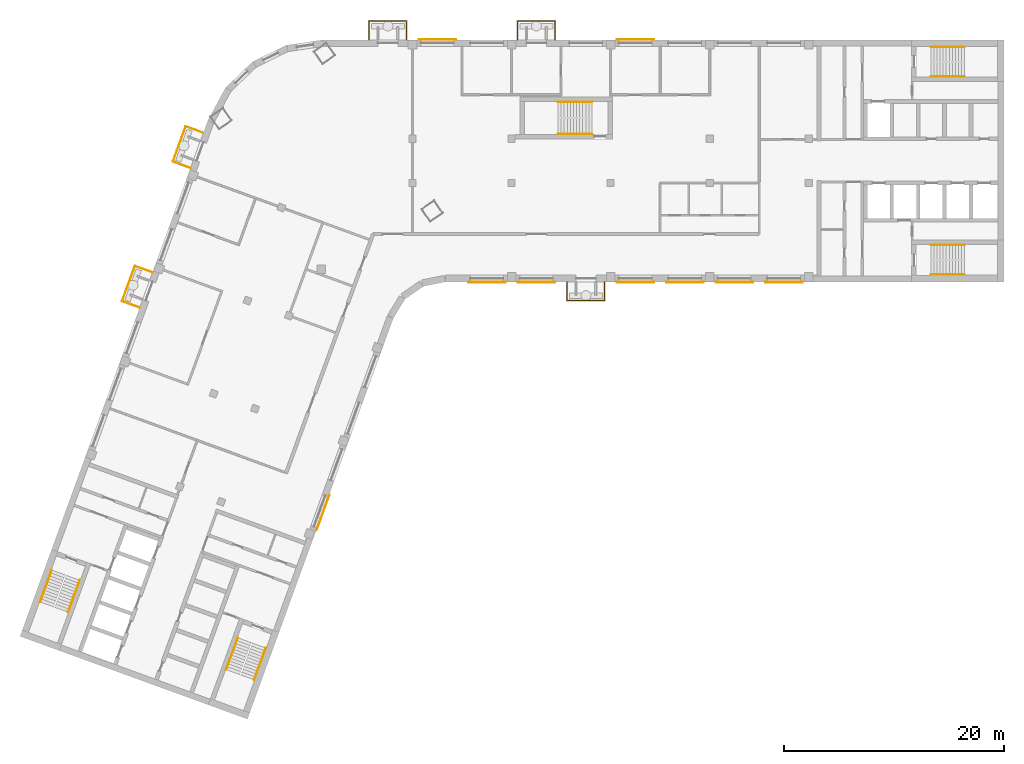
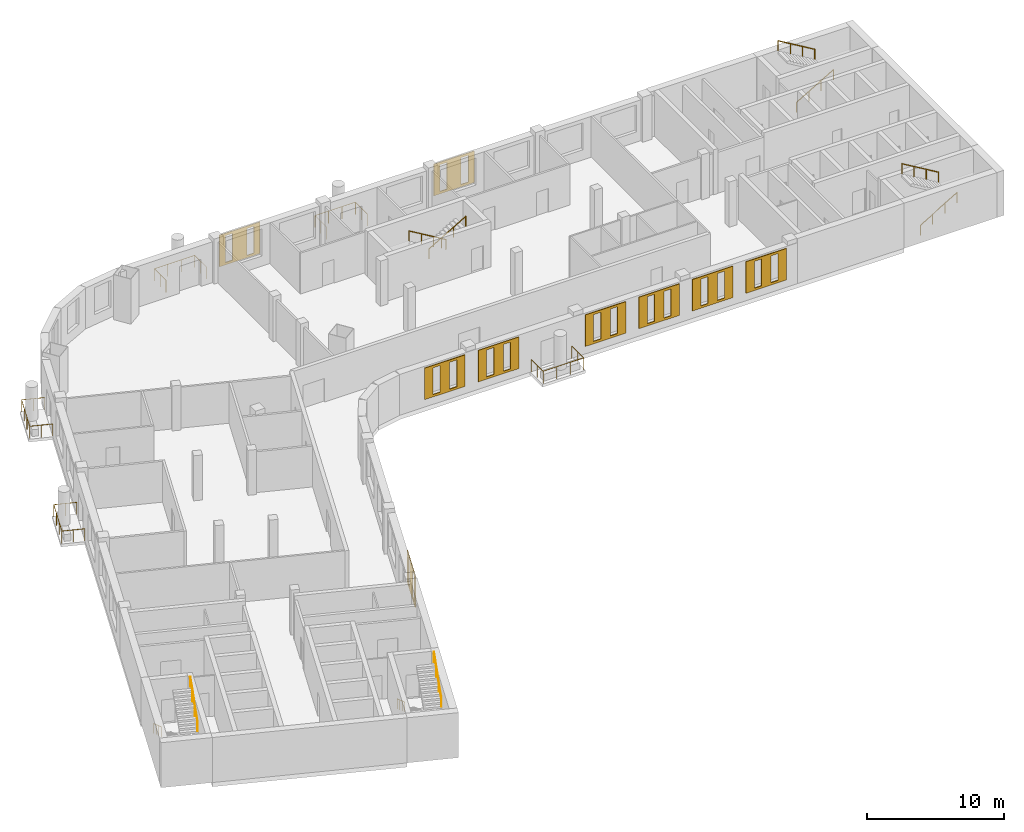
# One storey, part 8 of 10: 15 railings, 9 coverings.
"""IFC4 building model written with IfcOpenShell, lengths in metres."""

import ifcopenshell
import ifcopenshell.guid

model = None  # the IFC model being written
_history = None  # IfcOwnerHistory: only IFC2X3 demands one
_inside = {}  # id of a spatial element -> (the spatial element, [elements in it])
_under = {}  # id of a project, library or spatial element -> (it, [spatial elements below it])
_declared = {}  # id of a project -> (the project, [libraries it declares])
_typed = {}  # id of a type object -> (the type object, [elements of that type])
_made_of = {}  # id of a material, layer set ... -> (it, [elements and type objects made of it])


def new_model(schema):
    """Start an empty IFC model of exactly this schema.

    Asked for "IFC4X3", IfcOpenShell would pick the latest addendum, in which some entities
    have other attributes; the version numbers below select the first issue.
    IFC2X3 requires an IfcOwnerHistory on every rooted entity: one is made here for all.
    """
    global model, _history
    if schema == "IFC4X3":
        model = ifcopenshell.file(schema_version=(4, 3, 0, 0))
    else:
        model = ifcopenshell.file(schema=schema)
    _inside.clear()
    _under.clear()
    _declared.clear()
    _typed.clear()
    _made_of.clear()
    _history = None
    if model.schema == "IFC2X3":
        org = make("IfcOrganization", Name="unknown")
        user = make(
            "IfcPersonAndOrganization",
            ThePerson=make("IfcPerson", FamilyName="unknown"),
            TheOrganization=org,
        )
        app = make(
            "IfcApplication",
            ApplicationDeveloper=org,
            Version="unknown",
            ApplicationFullName="unknown",
            ApplicationIdentifier="unknown",
        )
        _history = make(
            "IfcOwnerHistory",
            OwningUser=user,
            OwningApplication=app,
            ChangeAction="ADDED",
            CreationDate=0,
        )
    return model


def make(cls, **values):
    """One entity of the class cls with the attributes given. An attribute that is None is left unset."""
    return model.create_entity(
        cls, **{name: value for name, value in values.items() if value is not None}
    )


def rooted(cls, **values):
    """An entity with a GlobalId (a new one), such as an element, a storey or a relation."""
    return make(cls, GlobalId=ifcopenshell.guid.new(), OwnerHistory=_history, **values)


def si_unit(unit_type, name, prefix=None):
    """IfcSIUnit, for example si_unit("LENGTHUNIT", "METRE", prefix="MILLI")."""
    return make("IfcSIUnit", UnitType=unit_type, Prefix=prefix, Name=name)


def assignment(units):
    """IfcUnitAssignment: the units of a project."""
    return None if units is None else make("IfcUnitAssignment", Units=units)


def point(xyz):
    """IfcCartesianPoint."""
    return None if xyz is None else make("IfcCartesianPoint", Coordinates=xyz)


def direction(xyz):
    """IfcDirection."""
    return None if xyz is None else make("IfcDirection", DirectionRatios=xyz)


def frame(location, z_axis=None, x_axis=None):
    """IfcAxis2Placement3D, a coordinate frame: its origin and axes. An axis left out is left unset."""
    return make(
        "IfcAxis2Placement3D",
        Location=point(location),
        Axis=direction(z_axis),
        RefDirection=direction(x_axis),
    )


def frame_2d(location, x_axis=None):
    """IfcAxis2Placement2D, a coordinate frame in the plane: its origin and x axis."""
    return make(
        "IfcAxis2Placement2D", Location=point(location), RefDirection=direction(x_axis)
    )


def origin():
    """The frame at (0, 0, 0) with its axes left unset."""
    return frame((0.0, 0.0, 0.0))


def origin_2d():
    """The frame at (0, 0) in the plane with its x axis left unset."""
    return frame_2d((0.0, 0.0))


def place(relative_to, where):
    """IfcLocalPlacement: puts the frame where relative to a parent placement (None: the world)."""
    return make(
        "IfcLocalPlacement", PlacementRelTo=relative_to, RelativePlacement=where
    )


def context(
    kind, dimensions, precision=None, world=None, true_north=None, identifier=None
):
    """IfcGeometricRepresentationContext, for example the 3D "Model" context."""
    return make(
        "IfcGeometricRepresentationContext",
        ContextIdentifier=identifier,
        ContextType=kind,
        CoordinateSpaceDimension=dimensions,
        Precision=precision,
        WorldCoordinateSystem=world,
        TrueNorth=true_north,
    )


def subcontext(parent, identifier, kind, view, scale=None):
    """IfcGeometricRepresentationSubContext, for example "Body" below "Model"."""
    return make(
        "IfcGeometricRepresentationSubContext",
        ContextIdentifier=identifier,
        ContextType=kind,
        ParentContext=parent,
        TargetScale=scale,
        TargetView=view,
    )


def project(units=None, contexts=None):
    """IfcProject with its units and contexts."""
    return rooted(
        "IfcProject",
        Name="project",
        RepresentationContexts=contexts,
        UnitsInContext=assignment(units),
    )


def spatial(cls, under=None, at=None, **own):
    """A site, building, storey or space (cls), placed at a placement, below another one or the project."""
    s = rooted(cls, ObjectPlacement=at, **own)
    if under is not None:
        _under.setdefault(under.id(), (under, []))[1].append(s)
    return s


def polyline(points):
    """IfcPolyline through the points."""
    return make("IfcPolyline", Points=[point(p) for p in points])


def profile(cls, at=None, kind="AREA", **sizes):
    """A parametric profile (cls). Its sizes go by their IFC names, for example OverallWidth=200.0."""
    return make(cls, ProfileType=kind, Position=at, **sizes)


def circle(**sizes):
    """IfcCircleProfileDef."""
    return profile("IfcCircleProfileDef", **sizes)


def outline(outer, holes=None, kind="AREA"):
    """IfcArbitraryClosedProfileDef: a profile drawn as a closed curve; with holes, ...WithVoids."""
    if holes is None:
        return make("IfcArbitraryClosedProfileDef", ProfileType=kind, OuterCurve=outer)
    return make(
        "IfcArbitraryProfileDefWithVoids",
        ProfileType=kind,
        OuterCurve=outer,
        InnerCurves=holes,
    )


def extrude(swept, where, along, depth):
    """IfcExtrudedAreaSolid: the profile swept, set in the frame where, extruded along a direction by depth."""
    return make(
        "IfcExtrudedAreaSolid",
        SweptArea=swept,
        Position=where,
        ExtrudedDirection=direction(along),
        Depth=depth,
    )


def shape(context_of_items, identifier, shape_type, items):
    """IfcShapeRepresentation: the items that make up one representation, for example the "Body"."""
    return make(
        "IfcShapeRepresentation",
        ContextOfItems=context_of_items,
        RepresentationIdentifier=identifier,
        RepresentationType=shape_type,
        Items=items,
    )


def material(Name=None, Category=None):
    """IfcMaterial."""
    return make("IfcMaterial", Name=Name, Category=Category)


def material_profile(
    of_material, cross_section, Name=None, Category=None, Priority=None
):
    """IfcMaterialProfile: a cross section and its material."""
    return make(
        "IfcMaterialProfile",
        Name=Name,
        Material=of_material,
        Profile=cross_section,
        Priority=Priority,
        Category=Category,
    )


def profile_set(profiles, Name=None, composite=None):
    """IfcMaterialProfileSet."""
    return make(
        "IfcMaterialProfileSet",
        Name=Name,
        MaterialProfiles=profiles,
        CompositeProfile=composite,
    )


def made_of(thing, what):
    """Note that an element or type object is made of a material, layer set ...; save() writes the relation."""
    if what is not None:
        _made_of.setdefault(what.id(), (what, []))[1].append(thing)
    return thing


def type_object(cls, material=None, **own):
    """A type object (cls), such as IfcWallType, which elements share."""
    return made_of(rooted(cls, **own), material)


def element(
    cls,
    number,
    at=None,
    inside=None,
    cuts=None,
    type_object=None,
    material=None,
    context=None,
    identifier="Body",
    shape_type=None,
    held_by="IfcProductDefinitionShape",
    body=None,
    shapes=None,
    **own,
):
    """One element of the class cls, such as IfcWall. Its Tag is "e" and its number.

    at: its placement. inside: the storey or other place that contains it. cuts: it is an
    opening in that element (IfcRelVoidsElement). A single representation is given by context,
    identifier, shape_type and body (its items); several are given by shapes. held_by: the class
    of the entity that holds the representations. save() writes the other relations.
    """
    e = rooted(cls, Tag="e%d" % number, ObjectPlacement=at, **own)
    if body is not None:
        shapes = [shape(context, identifier, shape_type, body)]
    if shapes is not None:
        e.Representation = make(held_by, Representations=shapes)
    if inside is not None:
        _inside.setdefault(inside.id(), (inside, []))[1].append(e)
    if cuts is not None:
        rooted(
            "IfcRelVoidsElement", RelatingBuildingElement=cuts, RelatedOpeningElement=e
        )
    if type_object is not None:
        _typed.setdefault(type_object.id(), (type_object, []))[1].append(e)
    return made_of(e, material)


def aggregate(whole, parts):
    """IfcRelAggregates: a whole, such as a stair, and the parts it consists of."""
    return rooted("IfcRelAggregates", RelatingObject=whole, RelatedObjects=parts)


def save(model, path):
    """Write the relations noted so far, then the file.

    IfcRelAggregates (storeys below a building ...), IfcRelContainedInSpatialStructure (elements
    in a storey), IfcRelDefinesByType, IfcRelAssociatesMaterial and IfcRelDeclares: one each for
    every whole, place, type object, material and project.
    """
    for whole, parts in _under.values():
        aggregate(whole, parts)
    for where, things in _inside.values():
        rooted(
            "IfcRelContainedInSpatialStructure",
            RelatedElements=things,
            RelatingStructure=where,
        )
    for kind, things in _typed.values():
        rooted("IfcRelDefinesByType", RelatedObjects=things, RelatingType=kind)
    for what, things in _made_of.values():
        rooted("IfcRelAssociatesMaterial", RelatedObjects=things, RelatingMaterial=what)
    for by, libraries in _declared.values():
        rooted("IfcRelDeclares", RelatingContext=by, RelatedDefinitions=libraries)
    model.write(path)


model = new_model("IFC4")

# Units and contexts
model_context = context("Model", 3, precision=1e-05, world=origin(), true_north=direction((0.0, 1.0)))
body_context = subcontext(model_context, "Body", "Model", "MODEL_VIEW")
ifc_project = project(units=[si_unit("LENGTHUNIT", "METRE"), si_unit("AREAUNIT", "SQUARE_METRE"), si_unit("VOLUMEUNIT", "CUBIC_METRE"), si_unit("PLANEANGLEUNIT", "RADIAN"), si_unit("MASSUNIT", "GRAM", prefix="KILO")], contexts=[model_context])

# Site, building, storey
site_placement = place(None, origin())
site = spatial("IfcSite", under=ifc_project, at=site_placement, CompositionType="ELEMENT")
building_placement = place(site_placement, origin())
building = spatial("IfcBuilding", under=site, at=building_placement, Name="Skarvind Civic Tower", CompositionType="ELEMENT")
storey_placement = place(building_placement, frame((0.0, 0.0, 166.5)))
storey = spatial("IfcBuildingStorey", under=building, at=storey_placement, Name="L39", CompositionType="ELEMENT", Elevation=166.5)

# Railings
ifc_material_1 = material(Name="Stainless steel balustrade", Category="steel")
railing_type_1 = type_object("IfcRailingType", Name="GR1 GUARD 1100", PredefinedType="GUARDRAIL", material=ifc_material_1)
railing_1_placement = place(storey_placement, frame((71.699951171875, 117.0, 0.0)))
element("IfcRailing", 1, at=railing_1_placement, inside=storey, type_object=railing_type_1, Name="TREE BALCONY GUARD", PredefinedType="GUARDRAIL", context=body_context, shape_type="SweptSolid", body=[
    extrude(circle(Radius=0.02392578125, at=origin_2d()), frame((0.0, 0.0, 1.076171875), z_axis=(0.0, -1.0, 0.0), x_axis=(1.0, 0.0, 0.0)), (0.0, 0.0, 1.0), 1.699951171875),
    extrude(circle(Radius=0.02392578125, at=origin_2d()), frame((0.0, -1.699951171875, 1.076171875), z_axis=(-1.0, 0.0, 0.0), x_axis=(0.0, -1.0, 0.0)), (0.0, 0.0, 1.0), 3.39990234375),
    extrude(circle(Radius=0.02392578125, at=origin_2d()), frame((-3.39990234375, -1.699951171875, 1.076171875), z_axis=(0.0, 1.0, 0.0), x_axis=(-1.0, 0.0, 0.0)), (0.0, 0.0, 1.0), 1.699951171875),
    extrude(circle(Radius=0.02099609375, at=origin_2d()), origin(), (0.0, 0.0, 1.0), 1.052001953125),
    extrude(circle(Radius=0.02099609375, at=origin_2d()), frame((0.0, -0.85009765625, 0.0)), (0.0, 0.0, 1.0), 1.052001953125),
    extrude(circle(Radius=0.02099609375, at=origin_2d()), frame((0.0, -1.699951171875, 0.0)), (0.0, 0.0, 1.0), 1.052001953125),
    extrude(circle(Radius=0.02099609375, at=origin_2d()), frame((-1.13330078125, -1.699951171875, 0.0)), (0.0, 0.0, 1.0), 1.052001953125),
    extrude(circle(Radius=0.02099609375, at=origin_2d()), frame((-2.2666015625, -1.699951171875, 0.0)), (0.0, 0.0, 1.0), 1.052001953125),
    extrude(circle(Radius=0.02099609375, at=origin_2d()), frame((-3.39990234375, -1.699951171875, 0.0)), (0.0, 0.0, 1.0), 1.052001953125),
    extrude(circle(Radius=0.02099609375, at=origin_2d()), frame((-3.39990234375, -0.85009765625, 0.0)), (0.0, 0.0, 1.0), 1.052001953125),
    extrude(circle(Radius=0.02099609375, at=origin_2d()), frame((-3.39990234375, 0.0, 0.0)), (0.0, 0.0, 1.0), 1.052001953125),
])
for number, where, name in (
    (2, (50.300048828125, 139.0, 0.0), "TREE BALCONY GUARD"),
    (3, (63.800048828125, 139.0, 0.0), "TREE BALCONY GUARD"),
):
    element("IfcRailing", number, at=place(storey_placement, frame(where)), inside=storey, type_object=railing_type_1, Name=name, PredefinedType="GUARDRAIL", context=body_context, shape_type="SweptSolid", body=[
        extrude(circle(Radius=0.02392578125, at=origin_2d()), frame((0.0, 0.0, 1.076171875), z_axis=(0.0, 1.0, 0.0), x_axis=(-1.0, 0.0, 0.0)), (0.0, 0.0, 1.0), 1.699951171875),
        extrude(circle(Radius=0.02392578125, at=origin_2d()), frame((0.0, 1.699951171875, 1.076171875), z_axis=(1.0, 0.0, 0.0), x_axis=(0.0, 1.0, 0.0)), (0.0, 0.0, 1.0), 3.39990234375),
        extrude(circle(Radius=0.02392578125, at=origin_2d()), frame((3.39990234375, 1.699951171875, 1.076171875), z_axis=(0.0, -1.0, 0.0), x_axis=(1.0, 0.0, 0.0)), (0.0, 0.0, 1.0), 1.699951171875),
        extrude(circle(Radius=0.02099609375, at=origin_2d()), origin(), (0.0, 0.0, 1.0), 1.052001953125),
        extrude(circle(Radius=0.02099609375, at=origin_2d()), frame((0.0, 0.85009765625, 0.0)), (0.0, 0.0, 1.0), 1.052001953125),
        extrude(circle(Radius=0.02099609375, at=origin_2d()), frame((0.0, 1.699951171875, 0.0)), (0.0, 0.0, 1.0), 1.052001953125),
        extrude(circle(Radius=0.02099609375, at=origin_2d()), frame((1.13330078125, 1.699951171875, 0.0)), (0.0, 0.0, 1.0), 1.052001953125),
        extrude(circle(Radius=0.02099609375, at=origin_2d()), frame((2.2666015625, 1.699951171875, 0.0)), (0.0, 0.0, 1.0), 1.052001953125),
        extrude(circle(Radius=0.02099609375, at=origin_2d()), frame((3.39990234375, 1.699951171875, 0.0)), (0.0, 0.0, 1.0), 1.052001953125),
        extrude(circle(Radius=0.02099609375, at=origin_2d()), frame((3.39990234375, 0.85009765625, 0.0)), (0.0, 0.0, 1.0), 1.052001953125),
        extrude(circle(Radius=0.02099609375, at=origin_2d()), frame((3.39990234375, 0.0, 0.0)), (0.0, 0.0, 1.0), 1.052001953125),
    ])
railing_2_placement = place(storey_placement, frame((29.438720703125, 114.659912109375, 0.0)))
element("IfcRailing", 4, at=railing_2_placement, inside=storey, type_object=railing_type_1, Name="TREE BALCONY GUARD", PredefinedType="GUARDRAIL", context=body_context, shape_type="SweptSolid", body=[
    extrude(circle(Radius=0.02392578125, at=origin_2d()), frame((0.0, 0.0, 1.076171875), z_axis=(-0.939713724856, 0.341962154804, 0.0), x_axis=(-0.341962154804, -0.939713724856, 0.0)), (0.0, 0.0, 1.0), 1.699951171875),
    extrude(circle(Radius=0.02392578125, at=origin_2d()), frame((-1.597412109375, 0.581298828125, 1.076171875), z_axis=(0.341939080165, 0.939722121404, 0.0), x_axis=(-0.939722121404, 0.341939080165, 0.0)), (0.0, 0.0, 1.0), 3.39990234375),
    extrude(circle(Radius=0.02392578125, at=origin_2d()), frame((-0.434814453125, 3.7763671875, 1.076171875), z_axis=(0.939684369409, -0.342042812948, 0.0), x_axis=(0.342042812948, 0.939684369409, 0.0)), (0.0, 0.0, 1.0), 1.7001953125),
    extrude(circle(Radius=0.02099609375, at=origin_2d()), origin(), (0.0, 0.0, 1.0), 1.052001953125),
    extrude(circle(Radius=0.02099609375, at=origin_2d()), frame((-0.798828125, 0.29052734375, 0.0)), (0.0, 0.0, 1.0), 1.052001953125),
    extrude(circle(Radius=0.02099609375, at=origin_2d()), frame((-1.597412109375, 0.581298828125, 0.0)), (0.0, 0.0, 1.0), 1.052001953125),
    extrude(circle(Radius=0.02099609375, at=origin_2d()), frame((-1.2099609375, 1.646240234375, 0.0)), (0.0, 0.0, 1.0), 1.052001953125),
    extrude(circle(Radius=0.02099609375, at=origin_2d()), frame((-0.822265625, 2.71142578125, 0.0)), (0.0, 0.0, 1.0), 1.052001953125),
    extrude(circle(Radius=0.02099609375, at=origin_2d()), frame((-0.434814453125, 3.7763671875, 0.0)), (0.0, 0.0, 1.0), 1.052001953125),
    extrude(circle(Radius=0.02099609375, at=origin_2d()), frame((0.364013671875, 3.485595703125, 0.0)), (0.0, 0.0, 1.0), 1.052001953125),
    extrude(circle(Radius=0.02099609375, at=origin_2d()), frame((1.162841796875, 3.19482421875, 0.0)), (0.0, 0.0, 1.0), 1.052001953125),
])
railing_3_placement = place(storey_placement, frame((34.055908203125, 127.345703125, 0.0)))
element("IfcRailing", 5, at=railing_3_placement, inside=storey, type_object=railing_type_1, Name="TREE BALCONY GUARD", PredefinedType="GUARDRAIL", context=body_context, shape_type="SweptSolid", body=[
    extrude(circle(Radius=0.02392578125, at=origin_2d()), frame((0.0, 0.0, 1.076171875), z_axis=(-0.939713724856, 0.341962154804, 0.0), x_axis=(-0.341962154804, -0.939713724856, 0.0)), (0.0, 0.0, 1.0), 1.699951171875),
    extrude(circle(Radius=0.02392578125, at=origin_2d()), frame((-1.597412109375, 0.581298828125, 1.076171875), z_axis=(0.342002487902, 0.939699046647, 0.0), x_axis=(-0.939699046647, 0.342002487902, 0.0)), (0.0, 0.0, 1.0), 3.400146484375),
    extrude(circle(Radius=0.02392578125, at=origin_2d()), frame((-0.4345703125, 3.7763671875, 1.076171875), z_axis=(0.939713724856, -0.341962154804, 0.0), x_axis=(0.341962154804, 0.939713724856, 0.0)), (0.0, 0.0, 1.0), 1.699951171875),
    extrude(circle(Radius=0.02099609375, at=origin_2d()), origin(), (0.0, 0.0, 1.0), 1.052001953125),
    extrude(circle(Radius=0.02099609375, at=origin_2d()), frame((-0.798828125, 0.29052734375, 0.0)), (0.0, 0.0, 1.0), 1.052001953125),
    extrude(circle(Radius=0.02099609375, at=origin_2d()), frame((-1.597412109375, 0.581298828125, 0.0)), (0.0, 0.0, 1.0), 1.052001953125),
    extrude(circle(Radius=0.02099609375, at=origin_2d()), frame((-1.209716796875, 1.646240234375, 0.0)), (0.0, 0.0, 1.0), 1.052001953125),
    extrude(circle(Radius=0.02099609375, at=origin_2d()), frame((-0.822265625, 2.71142578125, 0.0)), (0.0, 0.0, 1.0), 1.052001953125),
    extrude(circle(Radius=0.02099609375, at=origin_2d()), frame((-0.4345703125, 3.7763671875, 0.0)), (0.0, 0.0, 1.0), 1.052001953125),
    extrude(circle(Radius=0.02099609375, at=origin_2d()), frame((0.3642578125, 3.48583984375, 0.0)), (0.0, 0.0, 1.0), 1.052001953125),
    extrude(circle(Radius=0.02099609375, at=origin_2d()), frame((1.162841796875, 3.195068359375, 0.0)), (0.0, 0.0, 1.0), 1.052001953125),
])
ifc_material_2 = material(Name="Painted steel handrail", Category="steel")
railing_type_2 = type_object("IfcRailingType", Name="Stair handrail 900", PredefinedType="HANDRAIL", material=ifc_material_2)
railing_4_placement = place(storey_placement, frame((101.35009765625, 135.64990234375, 0.166748046875)))
element("IfcRailing", 6, at=railing_4_placement, inside=storey, type_object=railing_type_2, Name="Stair handrail", PredefinedType="HANDRAIL", context=body_context, shape_type="SweptSolid", body=[
    extrude(circle(Radius=0.02392578125, at=origin_2d()), frame((0.0, 0.0, 0.8759765625), z_axis=(0.859290745958, 0.0, 0.51148745235), x_axis=(0.0, 1.0, 0.0)), (0.0, 0.0, 1.0), 3.584228515625),
    extrude(circle(Radius=0.02099609375, at=origin_2d()), origin(), (0.0, 0.0, 1.0), 0.851806640625),
    extrude(circle(Radius=0.02099609375, at=origin_2d()), frame((1.026611328125, 0.0, 0.611083984375)), (0.0, 0.0, 1.0), 0.851806640625),
    extrude(circle(Radius=0.02099609375, at=origin_2d()), frame((2.05322265625, 0.0, 1.22216796875)), (0.0, 0.0, 1.0), 0.851806640625),
    extrude(circle(Radius=0.02099609375, at=origin_2d()), frame((3.079833984375, 0.0, 1.833251953125)), (0.0, 0.0, 1.0), 0.851806640625),
])
railing_5_placement = place(storey_placement, frame((104.429931640625, 138.35009765625, 2.166748046875)))
element("IfcRailing", 7, at=railing_5_placement, inside=storey, type_object=railing_type_2, Name="Stair handrail", PredefinedType="HANDRAIL", context=body_context, shape_type="SweptSolid", body=[
    extrude(circle(Radius=0.02392578125, at=origin_2d()), frame((0.0, 0.0, 0.8759765625), z_axis=(-0.859290745958, 0.0, 0.51148745235), x_axis=(0.0, -1.0, 0.0)), (0.0, 0.0, 1.0), 3.584228515625),
    extrude(circle(Radius=0.02099609375, at=origin_2d()), origin(), (0.0, 0.0, 1.0), 0.851806640625),
    extrude(circle(Radius=0.02099609375, at=origin_2d()), frame((-1.026611328125, 0.0, 0.611083984375)), (0.0, 0.0, 1.0), 0.851806640625),
    extrude(circle(Radius=0.02099609375, at=origin_2d()), frame((-2.05322265625, 0.0, 1.22216796875)), (0.0, 0.0, 1.0), 0.851806640625),
    extrude(circle(Radius=0.02099609375, at=origin_2d()), frame((-3.079833984375, 0.0, 1.833251953125)), (0.0, 0.0, 1.0), 0.851806640625),
])
railing_6_placement = place(storey_placement, frame((101.35009765625, 117.64990234375, 0.166748046875)))
element("IfcRailing", 8, at=railing_6_placement, inside=storey, type_object=railing_type_2, Name="Stair handrail", PredefinedType="HANDRAIL", context=body_context, shape_type="SweptSolid", body=[
    extrude(circle(Radius=0.02392578125, at=origin_2d()), frame((0.0, 0.0, 0.8759765625), z_axis=(0.859290745958, 0.0, 0.51148745235), x_axis=(0.0, 1.0, 0.0)), (0.0, 0.0, 1.0), 3.584228515625),
    extrude(circle(Radius=0.02099609375, at=origin_2d()), origin(), (0.0, 0.0, 1.0), 0.851806640625),
    extrude(circle(Radius=0.02099609375, at=origin_2d()), frame((1.026611328125, 0.0, 0.611083984375)), (0.0, 0.0, 1.0), 0.851806640625),
    extrude(circle(Radius=0.02099609375, at=origin_2d()), frame((2.05322265625, 0.0, 1.22216796875)), (0.0, 0.0, 1.0), 0.851806640625),
    extrude(circle(Radius=0.02099609375, at=origin_2d()), frame((3.079833984375, 0.0, 1.833251953125)), (0.0, 0.0, 1.0), 0.851806640625),
])
railing_7_placement = place(storey_placement, frame((104.429931640625, 120.35009765625, 2.166748046875)))
element("IfcRailing", 9, at=railing_7_placement, inside=storey, type_object=railing_type_2, Name="Stair handrail", PredefinedType="HANDRAIL", context=body_context, shape_type="SweptSolid", body=[
    extrude(circle(Radius=0.02392578125, at=origin_2d()), frame((0.0, 0.0, 0.8759765625), z_axis=(-0.859290745958, 0.0, 0.51148745235), x_axis=(0.0, -1.0, 0.0)), (0.0, 0.0, 1.0), 3.584228515625),
    extrude(circle(Radius=0.02099609375, at=origin_2d()), origin(), (0.0, 0.0, 1.0), 0.851806640625),
    extrude(circle(Radius=0.02099609375, at=origin_2d()), frame((-1.026611328125, 0.0, 0.611083984375)), (0.0, 0.0, 1.0), 0.851806640625),
    extrude(circle(Radius=0.02099609375, at=origin_2d()), frame((-2.05322265625, 0.0, 1.22216796875)), (0.0, 0.0, 1.0), 0.851806640625),
    extrude(circle(Radius=0.02099609375, at=origin_2d()), frame((-3.079833984375, 0.0, 1.833251953125)), (0.0, 0.0, 1.0), 0.851806640625),
])
railing_8_placement = place(storey_placement, frame((38.362060546875, 84.64794921875, 0.166748046875)))
element("IfcRailing", 10, at=railing_8_placement, inside=storey, type_object=railing_type_2, Name="Stair handrail", PredefinedType="HANDRAIL", context=body_context, shape_type="SweptSolid", body=[
    extrude(circle(Radius=0.02392578125, at=origin_2d()), frame((0.0, 0.0, 0.8759765625), z_axis=(-0.293908055923, -0.807480881337, 0.511461319103), x_axis=(0.939689235759, -0.342029443467, 0.0)), (0.0, 0.0, 1.0), 3.584228515625),
    extrude(circle(Radius=0.02099609375, at=origin_2d()), origin(), (0.0, 0.0, 1.0), 0.851806640625),
    extrude(circle(Radius=0.02099609375, at=origin_2d()), frame((-0.35107421875, -0.96484375, 0.611083984375)), (0.0, 0.0, 1.0), 0.851806640625),
    extrude(circle(Radius=0.02099609375, at=origin_2d()), frame((-0.702392578125, -1.929443359375, 1.22216796875)), (0.0, 0.0, 1.0), 0.851806640625),
    extrude(circle(Radius=0.02099609375, at=origin_2d()), frame((-1.053466796875, -2.894287109375, 1.833251953125)), (0.0, 0.0, 1.0), 0.851806640625),
])
railing_9_placement = place(storey_placement, frame((39.845703125, 80.830078125, 2.166748046875)))
element("IfcRailing", 11, at=railing_9_placement, inside=storey, type_object=railing_type_2, Name="Stair handrail", PredefinedType="HANDRAIL", context=body_context, shape_type="SweptSolid", body=[
    extrude(circle(Radius=0.02392578125, at=origin_2d()), frame((0.0, 0.0, 0.8759765625), z_axis=(0.293908055923, 0.807480881337, 0.511461319103), x_axis=(-0.939689235759, 0.342029443467, 0.0)), (0.0, 0.0, 1.0), 3.584228515625),
    extrude(circle(Radius=0.02099609375, at=origin_2d()), origin(), (0.0, 0.0, 1.0), 0.851806640625),
    extrude(circle(Radius=0.02099609375, at=origin_2d()), frame((0.35107421875, 0.96484375, 0.611083984375)), (0.0, 0.0, 1.0), 0.851806640625),
    extrude(circle(Radius=0.02099609375, at=origin_2d()), frame((0.702392578125, 1.929443359375, 1.22216796875)), (0.0, 0.0, 1.0), 0.851806640625),
    extrude(circle(Radius=0.02099609375, at=origin_2d()), frame((1.053466796875, 2.894287109375, 1.833251953125)), (0.0, 0.0, 1.0), 0.851806640625),
])
railing_10_placement = place(storey_placement, frame((21.447509765625, 90.80419921875, 0.166748046875)))
element("IfcRailing", 12, at=railing_10_placement, inside=storey, type_object=railing_type_2, Name="Stair handrail", PredefinedType="HANDRAIL", context=body_context, shape_type="SweptSolid", body=[
    extrude(circle(Radius=0.02392578125, at=origin_2d()), frame((0.0, 0.0, 0.8759765625), z_axis=(-0.293845824691, -0.807497044902, 0.511471557163), x_axis=(0.939714709796, -0.34195944817, 0.0)), (0.0, 0.0, 1.0), 3.584228515625),
    extrude(circle(Radius=0.02099609375, at=origin_2d()), origin(), (0.0, 0.0, 1.0), 0.851806640625),
    extrude(circle(Radius=0.02099609375, at=origin_2d()), frame((-0.35107421875, -0.96484375, 0.611083984375)), (0.0, 0.0, 1.0), 0.851806640625),
    extrude(circle(Radius=0.02099609375, at=origin_2d()), frame((-0.7021484375, -1.929443359375, 1.22216796875)), (0.0, 0.0, 1.0), 0.851806640625),
    extrude(circle(Radius=0.02099609375, at=origin_2d()), frame((-1.05322265625, -2.894287109375, 1.833251953125)), (0.0, 0.0, 1.0), 0.851806640625),
])
railing_11_placement = place(storey_placement, frame((22.931396484375, 86.986572265625, 2.166748046875)))
element("IfcRailing", 13, at=railing_11_placement, inside=storey, type_object=railing_type_2, Name="Stair handrail", PredefinedType="HANDRAIL", context=body_context, shape_type="SweptSolid", body=[
    extrude(circle(Radius=0.02392578125, at=origin_2d()), frame((0.0, 0.0, 0.8759765625), z_axis=(0.293908055923, 0.807480881337, 0.511461319103), x_axis=(-0.939689235759, 0.342029443467, 0.0)), (0.0, 0.0, 1.0), 3.584228515625),
    extrude(circle(Radius=0.02099609375, at=origin_2d()), origin(), (0.0, 0.0, 1.0), 0.851806640625),
    extrude(circle(Radius=0.02099609375, at=origin_2d()), frame((0.35107421875, 0.96484375, 0.611083984375)), (0.0, 0.0, 1.0), 0.851806640625),
    extrude(circle(Radius=0.02099609375, at=origin_2d()), frame((0.702392578125, 1.929443359375, 1.22216796875)), (0.0, 0.0, 1.0), 0.851806640625),
    extrude(circle(Radius=0.02099609375, at=origin_2d()), frame((1.053466796875, 2.894287109375, 1.833251953125)), (0.0, 0.0, 1.0), 0.851806640625),
])
railing_12_placement = place(storey_placement, frame((70.550048828125, 133.35009765625, 0.166748046875)))
element("IfcRailing", 14, at=railing_12_placement, inside=storey, type_object=railing_type_2, Name="Stair handrail", PredefinedType="HANDRAIL", context=body_context, shape_type="SweptSolid", body=[
    extrude(circle(Radius=0.02392578125, at=origin_2d()), frame((0.0, 0.0, 0.8759765625), z_axis=(-0.859308565015, 0.0, 0.511457515432), x_axis=(0.0, -1.0, 0.0)), (0.0, 0.0, 1.0), 3.58447265625),
    extrude(circle(Radius=0.02099609375, at=origin_2d()), origin(), (0.0, 0.0, 1.0), 0.851806640625),
    extrude(circle(Radius=0.02099609375, at=origin_2d()), frame((-1.026611328125, 0.0, 0.611083984375)), (0.0, 0.0, 1.0), 0.851806640625),
    extrude(circle(Radius=0.02099609375, at=origin_2d()), frame((-2.053466796875, 0.0, 1.22216796875)), (0.0, 0.0, 1.0), 0.851806640625),
    extrude(circle(Radius=0.02099609375, at=origin_2d()), frame((-3.080078125, 0.0, 1.833251953125)), (0.0, 0.0, 1.0), 0.851806640625),
])
railing_13_placement = place(storey_placement, frame((67.469970703125, 130.449951171875, 2.166748046875)))
element("IfcRailing", 15, at=railing_13_placement, inside=storey, type_object=railing_type_2, Name="Stair handrail", PredefinedType="HANDRAIL", context=body_context, shape_type="SweptSolid", body=[
    extrude(circle(Radius=0.02392578125, at=origin_2d()), frame((0.0, 0.0, 0.8759765625), z_axis=(0.859308565015, 0.0, 0.511457515432), x_axis=(0.0, 1.0, 0.0)), (0.0, 0.0, 1.0), 3.58447265625),
    extrude(circle(Radius=0.02099609375, at=origin_2d()), origin(), (0.0, 0.0, 1.0), 0.851806640625),
    extrude(circle(Radius=0.02099609375, at=origin_2d()), frame((1.026611328125, 0.0, 0.611083984375)), (0.0, 0.0, 1.0), 0.851806640625),
    extrude(circle(Radius=0.02099609375, at=origin_2d()), frame((2.053466796875, 0.0, 1.22216796875)), (0.0, 0.0, 1.0), 0.851806640625),
    extrude(circle(Radius=0.02099609375, at=origin_2d()), frame((3.080078125, 0.0, 1.833251953125)), (0.0, 0.0, 1.0), 0.851806640625),
])

# Coverings
ifc_material_3 = material(Name="Terracotta", Category="masonry")
ifc_material_profile_1 = material_profile(ifc_material_3, outline(polyline([(-1.699951171875, -1.39990234375), (1.699951171875, -1.39990234375), (1.699951171875, 1.39990234375), (-1.699951171875, 1.39990234375), (-1.699951171875, -1.39990234375)]), holes=[polyline([(-1.0, -1.18994140625), (-0.39990234375, -1.18994140625), (-0.39990234375, 1.18994140625), (-1.0, 1.18994140625), (-1.0, -1.18994140625)]), polyline([(0.39990234375, -1.18994140625), (1.0, -1.18994140625), (1.0, 1.18994140625), (0.39990234375, 1.18994140625), (0.39990234375, -1.18994140625)])]), Name="TERRACOTTA SCREEN 3400 x 2800, SLIT PITCH 1400")
ifc_profile_set_1 = profile_set([ifc_material_profile_1], Name="Terracotta")
covering_type_1 = type_object("IfcCoveringType", Name="TERRACOTTA SCREEN 3400 x 2800, SLIT PITCH 1400", PredefinedType="CLADDING", material=ifc_profile_set_1)
for number, where, z_axis, x_axis, name in (
    (16, (88.0, 117.0, 2.10009765625), (0.0, -1.0, 0.0), (1.0, 0.0, 0.0), "TERRACOTTA SCREEN"),
    (17, (83.5, 117.0, 2.10009765625), (0.0, -1.0, 0.0), (1.0, 0.0, 0.0), "TERRACOTTA SCREEN"),
    (18, (79.0, 117.0, 2.10009765625), (0.0, -1.0, 0.0), (1.0, 0.0, 0.0), "TERRACOTTA SCREEN"),
    (19, (74.5, 117.0, 2.10009765625), (0.0, -1.0, 0.0), (1.0, 0.0, 0.0), "TERRACOTTA SCREEN"),
    (20, (65.5, 117.0, 2.10009765625), (0.0, -1.0, 0.0), (1.0, 0.0, 0.0), "TERRACOTTA SCREEN"),
    (21, (61.0, 117.0, 2.10009765625), (0.0, -1.0, 0.0), (1.0, 0.0, 0.0), "TERRACOTTA SCREEN"),
):
    element("IfcCovering", number, at=place(storey_placement, frame(where, z_axis=z_axis, x_axis=x_axis)), inside=storey, type_object=covering_type_1, Name=name, PredefinedType="CLADDING", context=body_context, shape_type="SweptSolid", body=[
        extrude(outline(polyline([(-1.699951171875, -1.39990234375), (1.699951171875, -1.39990234375), (1.699951171875, 1.39990234375), (-1.699951171875, 1.39990234375), (-1.699951171875, -1.39990234375)]), holes=[polyline([(-1.0, -1.18994140625), (-0.39990234375, -1.18994140625), (-0.39990234375, 1.18994140625), (-1.0, 1.18994140625), (-1.0, -1.18994140625)]), polyline([(0.39990234375, -1.18994140625), (1.0, -1.18994140625), (1.0, 1.18994140625), (0.39990234375, 1.18994140625), (0.39990234375, -1.18994140625)])]), origin(), (0.0, 0.0, 1.0), 0.06005859375),
    ])
ifc_material_profile_2 = material_profile(ifc_material_3, outline(polyline([(-1.699951171875, -1.39990234375), (1.699951171875, -1.39990234375), (1.699951171875, 1.39990234375), (-1.699951171875, 1.39990234375), (-1.699951171875, -1.39990234375)]), holes=[polyline([(-1.199951171875, -1.18994140625), (-0.60009765625, -1.18994140625), (-0.60009765625, 1.18994140625), (-1.199951171875, 1.18994140625), (-1.199951171875, -1.18994140625)]), polyline([(0.60009765625, -1.18994140625), (1.199951171875, -1.18994140625), (1.199951171875, 1.18994140625), (0.60009765625, 1.18994140625), (0.60009765625, -1.18994140625)])]), Name="TERRACOTTA SCREEN 3400 x 2800, SLIT PITCH 1800")
ifc_profile_set_2 = profile_set([ifc_material_profile_2], Name="Terracotta")
covering_type_2 = type_object("IfcCoveringType", Name="TERRACOTTA SCREEN 3400 x 2800, SLIT PITCH 1800", PredefinedType="CLADDING", material=ifc_profile_set_2)
for number, where, z_axis, x_axis, name in (
    (22, (46.075927734375, 96.047119140625, 2.10009765625), (0.939793423488, -0.341743063087, 0.0), (0.341743063087, 0.939793423488, 0.0), "TERRACOTTA SCREEN"),
    (23, (56.5, 139.0, 2.10009765625), (0.0, 1.0, 0.0), (-1.0, 0.0, 0.0), "TERRACOTTA SCREEN"),
    (24, (74.5, 139.0, 2.10009765625), (0.0, 1.0, 0.0), (-1.0, 0.0, 0.0), "TERRACOTTA SCREEN"),
):
    element("IfcCovering", number, at=place(storey_placement, frame(where, z_axis=z_axis, x_axis=x_axis)), inside=storey, type_object=covering_type_2, Name=name, PredefinedType="CLADDING", context=body_context, shape_type="SweptSolid", body=[
        extrude(outline(polyline([(-1.699951171875, -1.39990234375), (1.699951171875, -1.39990234375), (1.699951171875, 1.39990234375), (-1.699951171875, 1.39990234375), (-1.699951171875, -1.39990234375)]), holes=[polyline([(-1.199951171875, -1.18994140625), (-0.60009765625, -1.18994140625), (-0.60009765625, 1.18994140625), (-1.199951171875, 1.18994140625), (-1.199951171875, -1.18994140625)]), polyline([(0.60009765625, -1.18994140625), (1.199951171875, -1.18994140625), (1.199951171875, 1.18994140625), (0.60009765625, 1.18994140625), (0.60009765625, -1.18994140625)])]), origin(), (0.0, 0.0, 1.0), 0.06005859375),
    ])

save(model, "model.ifc")
